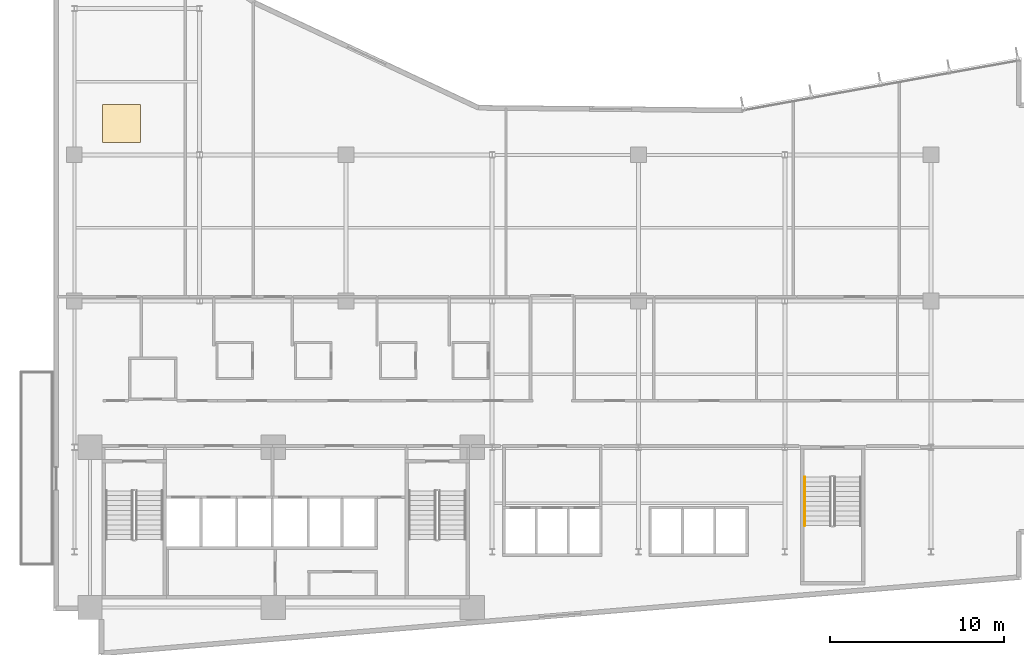
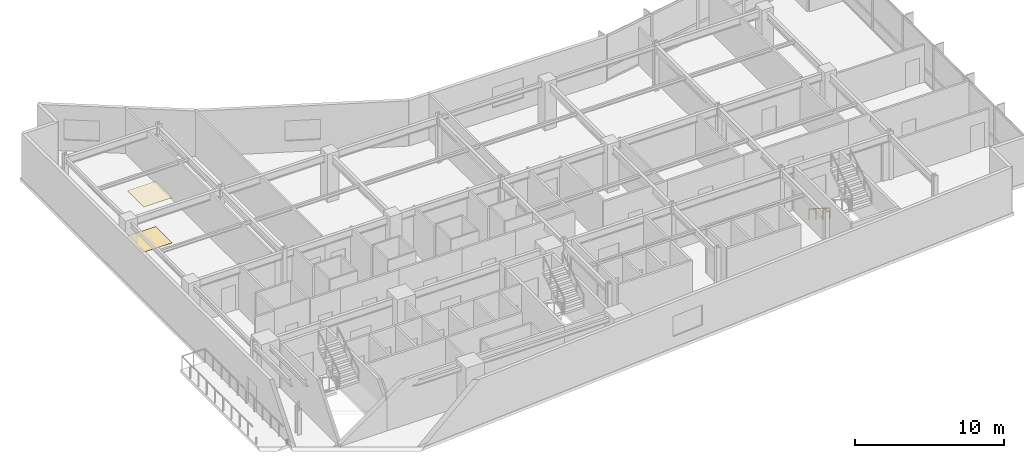
# One storey, part 18 of 21: 2 coverings, 1 railing.
"""IFC4 building model written with IfcOpenShell, lengths in metres."""

from ifc_helpers import new_model, si_unit, direction, frame, origin, origin_2d, place, context, subcontext, project, spatial, rectangle, circle, extrude, material, layer, layer_set, type_object, element, save


model = new_model("IFC4")

# Units and contexts
model_context = context("Model", 3, precision=1e-05, world=origin(), true_north=direction((0.0, 1.0)))
body_context = subcontext(model_context, "Body", "Model", "MODEL_VIEW")
ifc_project = project(units=[si_unit("LENGTHUNIT", "METRE"), si_unit("AREAUNIT", "SQUARE_METRE"), si_unit("VOLUMEUNIT", "CUBIC_METRE"), si_unit("PLANEANGLEUNIT", "RADIAN"), si_unit("MASSUNIT", "GRAM", prefix="KILO")], contexts=[model_context])

# Site, building, storey
site_placement = place(None, origin())
site = spatial("IfcSite", under=ifc_project, at=site_placement, CompositionType="ELEMENT")
building_placement = place(site_placement, origin())
building = spatial("IfcBuilding", under=site, at=building_placement, Name="Varnakote Quay Hospital", CompositionType="ELEMENT")
storey_placement = place(building_placement, frame((0.0, 0.0, 77.800048828125)))
storey = spatial("IfcBuildingStorey", under=building, at=storey_placement, Name="L19", CompositionType="ELEMENT", Elevation=77.800048828125)

# Coverings
ifc_material_1 = material(Name="Antimicrobial acoustic mineral ceiling tile", Category="gypsum")
ifc_layer_1 = layer(ifc_material_1, 0.02490234375)
ifc_layer_set_1 = layer_set([ifc_layer_1], Name="Antimicrobial acoustic mineral ceiling tile")
covering_type_1 = type_object("IfcCoveringType", Name="COV-CLIN-CEIL-25", PredefinedType="CEILING", material=ifc_layer_set_1)
covering_1_placement = place(storey_placement, frame((3.909912109375, 30.596923828125, 3.68505859375), z_axis=(0.0, 0.0, 1.0), x_axis=(1.0, 0.0, 0.0)))
element("IfcCovering", 1, at=covering_1_placement, inside=storey, type_object=covering_type_1, Name="L19 Antimicrobial Acoustic Ceiling Tile", PredefinedType="CEILING", context=body_context, shape_type="SweptSolid", body=[
    extrude(rectangle(XDim=2.199951171875, YDim=2.199951171875, at=origin_2d()), origin(), (0.0, 0.0, 1.0), 0.02490234375),
])
ifc_material_2 = material(Name="Seamless clinical sheet vinyl flooring")
ifc_layer_2 = layer(ifc_material_2, 0.011962890625)
ifc_layer_set_2 = layer_set([ifc_layer_2], Name="Seamless clinical sheet vinyl flooring")
covering_type_2 = type_object("IfcCoveringType", Name="COV-CLIN-VINYL-12", PredefinedType="FLOORING", material=ifc_layer_set_2)
covering_2_placement = place(storey_placement, frame((3.909912109375, 30.596923828125, 0.0), z_axis=(0.0, 0.0, 1.0), x_axis=(1.0, 0.0, 0.0)))
element("IfcCovering", 2, at=covering_2_placement, inside=storey, type_object=covering_type_2, Name="L19 Seamless Clinical Vinyl Flooring", PredefinedType="FLOORING", context=body_context, shape_type="SweptSolid", body=[
    extrude(rectangle(XDim=2.199951171875, YDim=2.199951171875, at=origin_2d()), origin(), (0.0, 0.0, 1.0), 0.011962890625),
])

# Railing
ifc_material_3 = material(Name="Brushed stainless steel handrail", Category="steel")
railing_type = type_object("IfcRailingType", Name="RLG-STAIR-HND-920", PredefinedType="HANDRAIL", material=ifc_material_3)
railing_placement = place(storey_placement, frame((43.14990234375, 10.300048828125, 0.179443359375)))
element("IfcRailing", 3, at=railing_placement, inside=storey, type_object=railing_type, Name="L19 ST-03 stair handrail 1", PredefinedType="HANDRAIL", context=body_context, shape_type="SweptSolid", body=[
    extrude(circle(Radius=0.02392578125, at=origin_2d()), frame((0.0, 0.0, 0.8759765625), z_axis=(0.0, -0.841809871826, 0.539774156196), x_axis=(1.0, 0.0, 0.0)), (0.0, 0.0, 1.0), 3.326171875),
    extrude(circle(Radius=0.02099609375, at=origin_2d()), origin(), (0.0, 0.0, 1.0), 0.851806640625),
    extrude(circle(Radius=0.02099609375, at=origin_2d()), frame((0.0, -0.933349609375, 0.598388671875)), (0.0, 0.0, 1.0), 0.851806640625),
    extrude(circle(Radius=0.02099609375, at=origin_2d()), frame((0.0, -1.86669921875, 1.197021484375)), (0.0, 0.0, 1.0), 0.851806640625),
    extrude(circle(Radius=0.02099609375, at=origin_2d()), frame((0.0, -2.800048828125, 1.79541015625)), (0.0, 0.0, 1.0), 0.851806640625),
])

save(model, "model.ifc")
